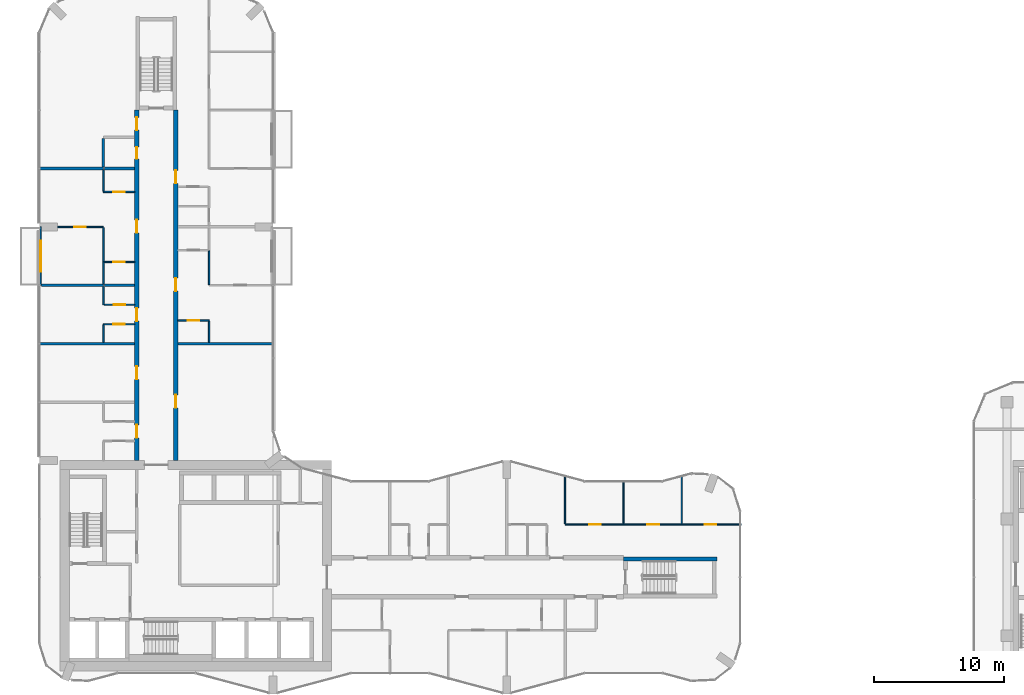
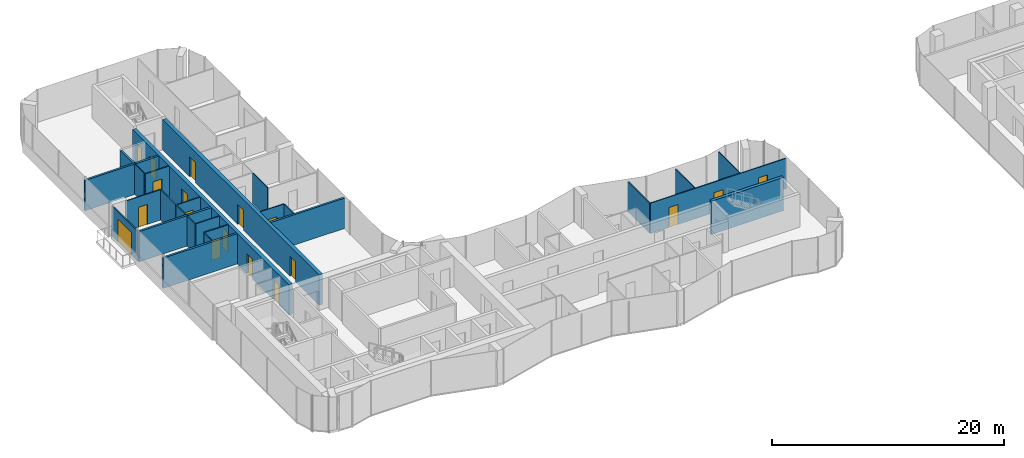
# One storey, part 15 of 22: 28 walls, 19 doors, 19 openings.
"""IFC4 building model written with IfcOpenShell, lengths in metres."""

from ifc_helpers import new_model, si_unit, direction, frame, frame_2d, origin, place, context, subcontext, project, spatial, rectangle, extrude, material, layer, layer_set, type_object, element, fill, save


model = new_model("IFC4")

# Units and contexts
model_context = context("Model", 3, precision=1e-05, world=origin(), true_north=direction((0.0, 1.0)))
body_context = subcontext(model_context, "Body", "Model", "MODEL_VIEW")
ifc_project = project(units=[si_unit("LENGTHUNIT", "METRE"), si_unit("AREAUNIT", "SQUARE_METRE"), si_unit("VOLUMEUNIT", "CUBIC_METRE"), si_unit("PLANEANGLEUNIT", "RADIAN"), si_unit("MASSUNIT", "GRAM", prefix="KILO")], contexts=[model_context])

# Site, building, storey
site_placement = place(None, origin())
site = spatial("IfcSite", under=ifc_project, at=site_placement, CompositionType="ELEMENT")
building_placement = place(site_placement, origin())
building = spatial("IfcBuilding", under=site, at=building_placement, Name="Plateau Cross Towers", CompositionType="ELEMENT")
storey_placement = place(building_placement, frame((0.0, 0.0, 68.800048828125)))
storey = spatial("IfcBuildingStorey", under=building, at=storey_placement, Name="L17", CompositionType="ELEMENT", Elevation=68.800048828125)

# Wall, opening, door
ifc_material_1 = material(Name="Aluminium framed glazing", Category="aluminium")
ifc_layer_1 = layer(ifc_material_1, 0.10009765625)
ifc_layer_set_1 = layer_set([ifc_layer_1], Name="Aluminium framed glazing")
wall_type_1 = type_object("IfcWallType", Name="Balcony screen wall 100", PredefinedType="STANDARD", material=ifc_layer_set_1)
wall_1_placement = place(storey_placement, frame((0.10009765625, 31.5, 0.0), z_axis=(0.0, 0.0, 1.0), x_axis=(0.0, 1.0, 0.0)))
wall_1 = element("IfcWall", 1, at=wall_1_placement, inside=storey, type_object=wall_type_1, Name="Balcony screen wall A-BAL-L17-01", PredefinedType="STANDARD", context=body_context, shape_type="SweptSolid", body=[
    extrude(rectangle(XDim=4.5, YDim=0.10009765625, at=frame_2d((2.25, 0.0))), origin(), (0.0, 0.0, 1.0), 3.199951171875),
])
opening_1_placement = place(wall_1_placement, frame((1.050048828125, 0.0, 0.0)))
opening_1 = element("IfcOpeningElement", 2, at=opening_1_placement, cuts=wall_1, Name="Opening D-B24", PredefinedType="OPENING", context=body_context, shape_type="SweptSolid", body=[
    extrude(rectangle(XDim=2.39990234375, YDim=2.39990234375, at=frame_2d((1.199951171875, 1.199951171875))), frame((0.0, 0.06005859375, 0.0), z_axis=(0.0, -1.0, 0.0), x_axis=(1.0, 0.0, 0.0)), (0.0, 0.0, 1.0), 0.1201171875),
])
ifc_material_2 = material(Name="Aluminium frame, double glazing", Category="aluminium")
door_type_1 = type_object("IfcDoorType", Name="Balcony sliding door 2400", OperationType="NOTDEFINED", PredefinedType="DOOR", material=ifc_material_2)
door_1_placement = place(opening_1_placement, origin())
door_1 = element("IfcDoor", 3, at=door_1_placement, inside=storey, type_object=door_type_1, Name="Balcony door A-BAL-L17-01", OperationType="SINGLE_SWING_LEFT", OverallHeight=2.39990234375, OverallWidth=2.39990234375, PredefinedType="DOOR", context=body_context, shape_type="SweptSolid", body=[
    extrude(rectangle(XDim=2.39990234375, YDim=2.39990234375, at=frame_2d((1.199951171875, 1.199951171875))), frame((0.0, 0.02490234375, 0.0), z_axis=(0.0, -1.0, 0.0), x_axis=(1.0, 0.0, 0.0)), (0.0, 0.0, 1.0), 0.050048828125),
])
fill(opening_1, door_1)

# Wall, openings, doors
ifc_material_3 = material(Name="Concrete C60/75", Category="concrete")
ifc_layer_2 = layer(ifc_material_3, 0.35009765625)
ifc_layer_set_2 = layer_set([ifc_layer_2], Name="Concrete C60/75")
wall_type_2 = type_object("IfcWallType", Name="Corridor wall 350", PredefinedType="SHEAR", material=ifc_layer_set_2)
wall_2_placement = place(storey_placement, frame((7.5, 18.0, 0.0), z_axis=(0.0, 0.0, 1.0), x_axis=(0.0, 1.0, 0.0)))
wall_2 = element("IfcWall", 4, at=wall_2_placement, inside=storey, type_object=wall_type_2, Name="A-cw-W1@L17", PredefinedType="SHEAR", context=body_context, shape_type="SweptSolid", body=[
    extrude(rectangle(XDim=27.0, YDim=0.35009765625, at=frame_2d((13.5, 0.0))), origin(), (0.0, 0.0, 1.0), 3.199951171875),
])
opening_2_placement = place(wall_2_placement, frame((1.75, 0.0, 0.0)))
opening_2 = element("IfcOpeningElement", 5, at=opening_2_placement, cuts=wall_2, Name="Opening 17-08", PredefinedType="OPENING", context=body_context, shape_type="SweptSolid", body=[
    extrude(rectangle(XDim=1.0, YDim=2.10009765625, at=frame_2d((0.5, 1.050048828125))), frame((0.0, 0.18505859375, 0.0), z_axis=(0.0, -1.0, 0.0), x_axis=(1.0, 0.0, 0.0)), (0.0, 0.0, 1.0), 0.3701171875),
])
opening_3_placement = place(wall_2_placement, frame((6.25, 0.0, 0.0)))
opening_3 = element("IfcOpeningElement", 6, at=opening_3_placement, cuts=wall_2, Name="Opening 17-09", PredefinedType="OPENING", context=body_context, shape_type="SweptSolid", body=[
    extrude(rectangle(XDim=1.0, YDim=2.10009765625, at=frame_2d((0.5, 1.050048828125))), frame((0.0, 0.18505859375, 0.0), z_axis=(0.0, -1.0, 0.0), x_axis=(1.0, 0.0, 0.0)), (0.0, 0.0, 1.0), 0.3701171875),
])
opening_4_placement = place(wall_2_placement, frame((10.75, 0.0, 0.0)))
opening_4 = element("IfcOpeningElement", 7, at=opening_4_placement, cuts=wall_2, Name="Opening 17-10", PredefinedType="OPENING", context=body_context, shape_type="SweptSolid", body=[
    extrude(rectangle(XDim=1.0, YDim=2.10009765625, at=frame_2d((0.5, 1.050048828125))), frame((0.0, 0.18505859375, 0.0), z_axis=(0.0, -1.0, 0.0), x_axis=(1.0, 0.0, 0.0)), (0.0, 0.0, 1.0), 0.3701171875),
])
opening_5_placement = place(wall_2_placement, frame((17.550048828125, 0.0, 0.0)))
opening_5 = element("IfcOpeningElement", 8, at=opening_5_placement, cuts=wall_2, Name="Opening 17-11", PredefinedType="OPENING", context=body_context, shape_type="SweptSolid", body=[
    extrude(rectangle(XDim=1.0, YDim=2.10009765625, at=frame_2d((0.5, 1.050048828125))), frame((0.0, 0.18505859375, 0.0), z_axis=(0.0, -1.0, 0.0), x_axis=(1.0, 0.0, 0.0)), (0.0, 0.0, 1.0), 0.3701171875),
])
opening_6_placement = place(wall_2_placement, frame((23.25, 0.0, 0.0)))
opening_6 = element("IfcOpeningElement", 9, at=opening_6_placement, cuts=wall_2, Name="Opening 17-12", PredefinedType="OPENING", context=body_context, shape_type="SweptSolid", body=[
    extrude(rectangle(XDim=0.89990234375, YDim=2.10009765625, at=frame_2d((0.449951171875, 1.050048828125))), frame((0.0, 0.18505859375, 0.0), z_axis=(0.0, -1.0, 0.0), x_axis=(1.0, 0.0, 0.0)), (0.0, 0.0, 1.0), 0.3701171875),
])
opening_7_placement = place(wall_2_placement, frame((25.449951171875, 0.0, 0.0)))
opening_7 = element("IfcOpeningElement", 10, at=opening_7_placement, cuts=wall_2, Name="Opening 17-13", PredefinedType="OPENING", context=body_context, shape_type="SweptSolid", body=[
    extrude(rectangle(XDim=1.0, YDim=2.10009765625, at=frame_2d((0.5, 1.050048828125))), frame((0.0, 0.18505859375, 0.0), z_axis=(0.0, -1.0, 0.0), x_axis=(1.0, 0.0, 0.0)), (0.0, 0.0, 1.0), 0.3701171875),
])
ifc_material_4 = material(Name="Timber, fire-resisting leaf", Category="wood")
door_type_2 = type_object("IfcDoorType", Name="Flat entrance door 1000", OperationType="NOTDEFINED", PredefinedType="DOOR", material=ifc_material_4)
door_2_placement = place(opening_2_placement, origin())
door_2 = element("IfcDoor", 11, at=door_2_placement, inside=storey, type_object=door_type_2, Name="Door 17-08", OperationType="SINGLE_SWING_LEFT", OverallHeight=2.10009765625, OverallWidth=1.0, PredefinedType="DOOR", context=body_context, shape_type="SweptSolid", body=[
    extrude(rectangle(XDim=1.0, YDim=2.10009765625, at=frame_2d((0.5, 1.050048828125))), frame((0.0, 0.02490234375, 0.0), z_axis=(0.0, -1.0, 0.0), x_axis=(1.0, 0.0, 0.0)), (0.0, 0.0, 1.0), 0.050048828125),
])
fill(opening_2, door_2)
door_3_placement = place(opening_3_placement, origin())
door_3 = element("IfcDoor", 12, at=door_3_placement, inside=storey, type_object=door_type_2, Name="Door 17-09", OperationType="SINGLE_SWING_LEFT", OverallHeight=2.10009765625, OverallWidth=1.0, PredefinedType="DOOR", context=body_context, shape_type="SweptSolid", body=[
    extrude(rectangle(XDim=1.0, YDim=2.10009765625, at=frame_2d((0.5, 1.050048828125))), frame((0.0, 0.02490234375, 0.0), z_axis=(0.0, -1.0, 0.0), x_axis=(1.0, 0.0, 0.0)), (0.0, 0.0, 1.0), 0.050048828125),
])
fill(opening_3, door_3)
door_4_placement = place(opening_4_placement, origin())
door_4 = element("IfcDoor", 13, at=door_4_placement, inside=storey, type_object=door_type_2, Name="Door 17-10", OperationType="SINGLE_SWING_LEFT", OverallHeight=2.10009765625, OverallWidth=1.0, PredefinedType="DOOR", context=body_context, shape_type="SweptSolid", body=[
    extrude(rectangle(XDim=1.0, YDim=2.10009765625, at=frame_2d((0.5, 1.050048828125))), frame((0.0, 0.02490234375, 0.0), z_axis=(0.0, -1.0, 0.0), x_axis=(1.0, 0.0, 0.0)), (0.0, 0.0, 1.0), 0.050048828125),
])
fill(opening_4, door_4)
door_5_placement = place(opening_5_placement, origin())
door_5 = element("IfcDoor", 14, at=door_5_placement, inside=storey, type_object=door_type_2, Name="Door 17-11", OperationType="SINGLE_SWING_RIGHT", OverallHeight=2.10009765625, OverallWidth=1.0, PredefinedType="DOOR", context=body_context, shape_type="SweptSolid", body=[
    extrude(rectangle(XDim=1.0, YDim=2.10009765625, at=frame_2d((0.5, 1.050048828125))), frame((0.0, 0.02490234375, 0.0), z_axis=(0.0, -1.0, 0.0), x_axis=(1.0, 0.0, 0.0)), (0.0, 0.0, 1.0), 0.050048828125),
])
fill(opening_5, door_5)
door_6_placement = place(opening_7_placement, origin())
door_6 = element("IfcDoor", 15, at=door_6_placement, inside=storey, type_object=door_type_2, Name="Door 17-13", OperationType="SINGLE_SWING_RIGHT", OverallHeight=2.10009765625, OverallWidth=1.0, PredefinedType="DOOR", context=body_context, shape_type="SweptSolid", body=[
    extrude(rectangle(XDim=1.0, YDim=2.10009765625, at=frame_2d((0.5, 1.050048828125))), frame((0.0, 0.02490234375, 0.0), z_axis=(0.0, -1.0, 0.0), x_axis=(1.0, 0.0, 0.0)), (0.0, 0.0, 1.0), 0.050048828125),
])
fill(opening_7, door_6)
door_type_3 = type_object("IfcDoorType", Name="Flat floor service door 900", OperationType="NOTDEFINED", PredefinedType="DOOR", material=ifc_material_4)
door_7_placement = place(opening_6_placement, origin())
door_7 = element("IfcDoor", 16, at=door_7_placement, inside=storey, type_object=door_type_3, Name="Door 17-12", OperationType="SINGLE_SWING_RIGHT", OverallHeight=2.10009765625, OverallWidth=0.89990234375, PredefinedType="DOOR", context=body_context, shape_type="SweptSolid", body=[
    extrude(rectangle(XDim=0.89990234375, YDim=2.10009765625, at=frame_2d((0.449951171875, 1.050048828125))), frame((0.0, 0.02490234375, 0.0), z_axis=(0.0, -1.0, 0.0), x_axis=(1.0, 0.0, 0.0)), (0.0, 0.0, 1.0), 0.050048828125),
])
fill(opening_6, door_7)

wall_3_placement = place(storey_placement, frame((10.5, 18.0, 0.0), z_axis=(0.0, 0.0, 1.0), x_axis=(0.0, 1.0, 0.0)))
wall_3 = element("IfcWall", 17, at=wall_3_placement, inside=storey, type_object=wall_type_2, Name="A-cw-W2@L17", PredefinedType="SHEAR", context=body_context, shape_type="SweptSolid", body=[
    extrude(rectangle(XDim=27.0, YDim=0.35009765625, at=frame_2d((13.5, 0.0))), origin(), (0.0, 0.0, 1.0), 3.199951171875),
])
opening_8_placement = place(wall_3_placement, frame((4.050048828125, 0.0, 0.0)))
opening_8 = element("IfcOpeningElement", 18, at=opening_8_placement, cuts=wall_3, Name="Opening 17-14", PredefinedType="OPENING", context=body_context, shape_type="SweptSolid", body=[
    extrude(rectangle(XDim=1.0, YDim=2.10009765625, at=frame_2d((0.5, 1.050048828125))), frame((0.0, 0.18505859375, 0.0), z_axis=(0.0, -1.0, 0.0), x_axis=(1.0, 0.0, 0.0)), (0.0, 0.0, 1.0), 0.3701171875),
])
opening_9_placement = place(wall_3_placement, frame((13.050048828125, 0.0, 0.0)))
opening_9 = element("IfcOpeningElement", 19, at=opening_9_placement, cuts=wall_3, Name="Opening 17-15", PredefinedType="OPENING", context=body_context, shape_type="SweptSolid", body=[
    extrude(rectangle(XDim=1.0, YDim=2.10009765625, at=frame_2d((0.5, 1.050048828125))), frame((0.0, 0.18505859375, 0.0), z_axis=(0.0, -1.0, 0.0), x_axis=(1.0, 0.0, 0.0)), (0.0, 0.0, 1.0), 0.3701171875),
])
opening_10_placement = place(wall_3_placement, frame((21.35009765625, 0.0, 0.0)))
opening_10 = element("IfcOpeningElement", 20, at=opening_10_placement, cuts=wall_3, Name="Opening 17-16", PredefinedType="OPENING", context=body_context, shape_type="SweptSolid", body=[
    extrude(rectangle(XDim=1.0, YDim=2.10009765625, at=frame_2d((0.5, 1.050048828125))), frame((0.0, 0.18505859375, 0.0), z_axis=(0.0, -1.0, 0.0), x_axis=(1.0, 0.0, 0.0)), (0.0, 0.0, 1.0), 0.3701171875),
])
door_8_placement = place(opening_8_placement, origin())
door_8 = element("IfcDoor", 21, at=door_8_placement, inside=storey, type_object=door_type_2, Name="Door 17-14", OperationType="SINGLE_SWING_LEFT", OverallHeight=2.10009765625, OverallWidth=1.0, PredefinedType="DOOR", context=body_context, shape_type="SweptSolid", body=[
    extrude(rectangle(XDim=1.0, YDim=2.10009765625, at=frame_2d((0.5, 1.050048828125))), frame((0.0, 0.02490234375, 0.0), z_axis=(0.0, -1.0, 0.0), x_axis=(1.0, 0.0, 0.0)), (0.0, 0.0, 1.0), 0.050048828125),
])
fill(opening_8, door_8)
door_9_placement = place(opening_9_placement, origin())
door_9 = element("IfcDoor", 22, at=door_9_placement, inside=storey, type_object=door_type_2, Name="Door 17-15", OperationType="SINGLE_SWING_RIGHT", OverallHeight=2.10009765625, OverallWidth=1.0, PredefinedType="DOOR", context=body_context, shape_type="SweptSolid", body=[
    extrude(rectangle(XDim=1.0, YDim=2.10009765625, at=frame_2d((0.5, 1.050048828125))), frame((0.0, 0.02490234375, 0.0), z_axis=(0.0, -1.0, 0.0), x_axis=(1.0, 0.0, 0.0)), (0.0, 0.0, 1.0), 0.050048828125),
])
fill(opening_9, door_9)
door_10_placement = place(opening_10_placement, origin())
door_10 = element("IfcDoor", 23, at=door_10_placement, inside=storey, type_object=door_type_2, Name="Door 17-16", OperationType="SINGLE_SWING_RIGHT", OverallHeight=2.10009765625, OverallWidth=1.0, PredefinedType="DOOR", context=body_context, shape_type="SweptSolid", body=[
    extrude(rectangle(XDim=1.0, YDim=2.10009765625, at=frame_2d((0.5, 1.050048828125))), frame((0.0, 0.02490234375, 0.0), z_axis=(0.0, -1.0, 0.0), x_axis=(1.0, 0.0, 0.0)), (0.0, 0.0, 1.0), 0.050048828125),
])
fill(opening_10, door_10)

ifc_material_5 = material(Name="Gypsum board on steel studs", Category="steel")
ifc_layer_3 = layer(ifc_material_5, 0.10009765625)
ifc_layer_set_3 = layer_set([ifc_layer_3], Name="Gypsum board on steel studs")
wall_type_3 = type_object("IfcWallType", Name="Flat partition 100", PredefinedType="PARTITIONING", material=ifc_layer_set_3)
wall_4_placement = place(storey_placement, frame((40.5, 13.074951171875, 0.0), z_axis=(0.0, 0.0, 1.0), x_axis=(1.0, 0.0, 0.0)))
wall_4 = element("IfcWall", 24, at=wall_4_placement, inside=storey, type_object=wall_type_3, Name="Partition wall", PredefinedType="PARTITIONING", context=body_context, shape_type="SweptSolid", body=[
    extrude(rectangle(XDim=13.580078125, YDim=0.10009765625, at=frame_2d((6.7900390625, 0.0))), origin(), (0.0, 0.0, 1.0), 3.199951171875),
])
opening_11_placement = place(wall_4_placement, frame((1.85009765625, 0.0, 0.0)))
opening_11 = element("IfcOpeningElement", 25, at=opening_11_placement, cuts=wall_4, Name="Opening 17-26", PredefinedType="OPENING", context=body_context, shape_type="SweptSolid", body=[
    extrude(rectangle(XDim=0.89990234375, YDim=2.10009765625, at=frame_2d((0.449951171875, 1.050048828125))), frame((0.0, 0.06005859375, 0.0), z_axis=(0.0, -1.0, 0.0), x_axis=(1.0, 0.0, 0.0)), (0.0, 0.0, 1.0), 0.1201171875),
])
opening_12_placement = place(wall_4_placement, frame((6.35009765625, 0.0, 0.0)))
opening_12 = element("IfcOpeningElement", 26, at=opening_12_placement, cuts=wall_4, Name="Opening 17-27", PredefinedType="OPENING", context=body_context, shape_type="SweptSolid", body=[
    extrude(rectangle(XDim=0.89990234375, YDim=2.10009765625, at=frame_2d((0.449951171875, 1.050048828125))), frame((0.0, 0.06005859375, 0.0), z_axis=(0.0, -1.0, 0.0), x_axis=(1.0, 0.0, 0.0)), (0.0, 0.0, 1.0), 0.1201171875),
])
opening_13_placement = place(wall_4_placement, frame((10.75, 0.0, 0.0)))
opening_13 = element("IfcOpeningElement", 27, at=opening_13_placement, cuts=wall_4, Name="Opening 17-28", PredefinedType="OPENING", context=body_context, shape_type="SweptSolid", body=[
    extrude(rectangle(XDim=0.89990234375, YDim=2.10009765625, at=frame_2d((0.449951171875, 1.050048828125))), frame((0.0, 0.06005859375, 0.0), z_axis=(0.0, -1.0, 0.0), x_axis=(1.0, 0.0, 0.0)), (0.0, 0.0, 1.0), 0.1201171875),
])
ifc_material_6 = material(Name="Timber leaf", Category="wood")
door_type_4 = type_object("IfcDoorType", Name="Flat room door 900", OperationType="NOTDEFINED", PredefinedType="DOOR", material=ifc_material_6)
door_11_placement = place(opening_11_placement, origin())
door_11 = element("IfcDoor", 28, at=door_11_placement, inside=storey, type_object=door_type_4, Name="Door 17-26", OperationType="SINGLE_SWING_LEFT", OverallHeight=2.10009765625, OverallWidth=0.89990234375, PredefinedType="DOOR", context=body_context, shape_type="SweptSolid", body=[
    extrude(rectangle(XDim=0.89990234375, YDim=2.10009765625, at=frame_2d((0.449951171875, 1.050048828125))), frame((0.0, 0.02490234375, 0.0), z_axis=(0.0, -1.0, 0.0), x_axis=(1.0, 0.0, 0.0)), (0.0, 0.0, 1.0), 0.050048828125),
])
fill(opening_11, door_11)
door_12_placement = place(opening_12_placement, origin())
door_12 = element("IfcDoor", 29, at=door_12_placement, inside=storey, type_object=door_type_4, Name="Door 17-27", OperationType="SINGLE_SWING_RIGHT", OverallHeight=2.10009765625, OverallWidth=0.89990234375, PredefinedType="DOOR", context=body_context, shape_type="SweptSolid", body=[
    extrude(rectangle(XDim=0.89990234375, YDim=2.10009765625, at=frame_2d((0.449951171875, 1.050048828125))), frame((0.0, 0.02490234375, 0.0), z_axis=(0.0, -1.0, 0.0), x_axis=(1.0, 0.0, 0.0)), (0.0, 0.0, 1.0), 0.050048828125),
])
fill(opening_12, door_12)
door_13_placement = place(opening_13_placement, origin())
door_13 = element("IfcDoor", 30, at=door_13_placement, inside=storey, type_object=door_type_4, Name="Door 17-28", OperationType="SINGLE_SWING_RIGHT", OverallHeight=2.10009765625, OverallWidth=0.89990234375, PredefinedType="DOOR", context=body_context, shape_type="SweptSolid", body=[
    extrude(rectangle(XDim=0.89990234375, YDim=2.10009765625, at=frame_2d((0.449951171875, 1.050048828125))), frame((0.0, 0.02490234375, 0.0), z_axis=(0.0, -1.0, 0.0), x_axis=(1.0, 0.0, 0.0)), (0.0, 0.0, 1.0), 0.050048828125),
])
fill(opening_13, door_13)

# Wall, opening, door
wall_5_placement = place(storey_placement, frame((7.324951171875, 28.5, 0.0), z_axis=(0.0, 0.0, 1.0), x_axis=(-1.0, 0.0, 0.0)))
wall_5 = element("IfcWall", 31, at=wall_5_placement, inside=storey, type_object=wall_type_3, Name="Partition wall", PredefinedType="PARTITIONING", context=body_context, shape_type="SweptSolid", body=[
    extrude(rectangle(XDim=2.39990234375, YDim=0.10009765625, at=frame_2d((1.199951171875, 0.0))), origin(), (0.0, 0.0, 1.0), 3.199951171875),
])
opening_14_placement = place(wall_5_placement, frame((0.75, 0.0, 0.0)))
opening_14 = element("IfcOpeningElement", 32, at=opening_14_placement, cuts=wall_5, Name="Opening 17-31", PredefinedType="OPENING", context=body_context, shape_type="SweptSolid", body=[
    extrude(rectangle(XDim=0.89990234375, YDim=2.10009765625, at=frame_2d((0.449951171875, 1.050048828125))), frame((0.0, 0.06005859375, 0.0), z_axis=(0.0, -1.0, 0.0), x_axis=(1.0, 0.0, 0.0)), (0.0, 0.0, 1.0), 0.1201171875),
])
door_14_placement = place(opening_14_placement, origin())
door_14 = element("IfcDoor", 33, at=door_14_placement, inside=storey, type_object=door_type_4, Name="Door 17-31", OperationType="SINGLE_SWING_LEFT", OverallHeight=2.10009765625, OverallWidth=0.89990234375, PredefinedType="DOOR", context=body_context, shape_type="SweptSolid", body=[
    extrude(rectangle(XDim=0.89990234375, YDim=2.10009765625, at=frame_2d((0.449951171875, 1.050048828125))), frame((0.0, 0.02490234375, 0.0), z_axis=(0.0, -1.0, 0.0), x_axis=(1.0, 0.0, 0.0)), (0.0, 0.0, 1.0), 0.050048828125),
])
fill(opening_14, door_14)

wall_6_placement = place(storey_placement, frame((13.074951171875, 28.800048828125, 0.0), z_axis=(0.0, 0.0, 1.0), x_axis=(-1.0, 0.0, 0.0)))
wall_6 = element("IfcWall", 34, at=wall_6_placement, inside=storey, type_object=wall_type_3, Name="Partition wall", PredefinedType="PARTITIONING", context=body_context, shape_type="SweptSolid", body=[
    extrude(rectangle(XDim=2.39990234375, YDim=0.10009765625, at=frame_2d((1.199951171875, 0.0))), origin(), (0.0, 0.0, 1.0), 3.199951171875),
])
opening_15_placement = place(wall_6_placement, frame((0.75, 0.0, 0.0)))
opening_15 = element("IfcOpeningElement", 35, at=opening_15_placement, cuts=wall_6, Name="Opening 17-36", PredefinedType="OPENING", context=body_context, shape_type="SweptSolid", body=[
    extrude(rectangle(XDim=0.89990234375, YDim=2.10009765625, at=frame_2d((0.449951171875, 1.050048828125))), frame((0.0, 0.06005859375, 0.0), z_axis=(0.0, -1.0, 0.0), x_axis=(1.0, 0.0, 0.0)), (0.0, 0.0, 1.0), 0.1201171875),
])
door_15_placement = place(opening_15_placement, origin())
door_15 = element("IfcDoor", 36, at=door_15_placement, inside=storey, type_object=door_type_4, Name="Door 17-36", OperationType="SINGLE_SWING_RIGHT", OverallHeight=2.10009765625, OverallWidth=0.89990234375, PredefinedType="DOOR", context=body_context, shape_type="SweptSolid", body=[
    extrude(rectangle(XDim=0.89990234375, YDim=2.10009765625, at=frame_2d((0.449951171875, 1.050048828125))), frame((0.0, 0.02490234375, 0.0), z_axis=(0.0, -1.0, 0.0), x_axis=(1.0, 0.0, 0.0)), (0.0, 0.0, 1.0), 0.050048828125),
])
fill(opening_15, door_15)

wall_7_placement = place(storey_placement, frame((4.97509765625, 30.0, 0.0), z_axis=(0.0, 0.0, 1.0), x_axis=(1.0, 0.0, 0.0)))
wall_7 = element("IfcWall", 37, at=wall_7_placement, inside=storey, type_object=wall_type_3, Name="Partition wall", PredefinedType="PARTITIONING", context=body_context, shape_type="SweptSolid", body=[
    extrude(rectangle(XDim=2.349853515625, YDim=0.10009765625, at=frame_2d((1.1748046875, 0.0))), origin(), (0.0, 0.0, 1.0), 3.199951171875),
])
opening_16_placement = place(wall_7_placement, frame((0.75, 0.0, 0.0)))
opening_16 = element("IfcOpeningElement", 38, at=opening_16_placement, cuts=wall_7, Name="Opening 17-32", PredefinedType="OPENING", context=body_context, shape_type="SweptSolid", body=[
    extrude(rectangle(XDim=0.89990234375, YDim=2.10009765625, at=frame_2d((0.449951171875, 1.050048828125))), frame((0.0, 0.06005859375, 0.0), z_axis=(0.0, -1.0, 0.0), x_axis=(1.0, 0.0, 0.0)), (0.0, 0.0, 1.0), 0.1201171875),
])
door_16_placement = place(opening_16_placement, origin())
door_16 = element("IfcDoor", 39, at=door_16_placement, inside=storey, type_object=door_type_4, Name="Door 17-32", OperationType="SINGLE_SWING_RIGHT", OverallHeight=2.10009765625, OverallWidth=0.89990234375, PredefinedType="DOOR", context=body_context, shape_type="SweptSolid", body=[
    extrude(rectangle(XDim=0.89990234375, YDim=2.10009765625, at=frame_2d((0.449951171875, 1.050048828125))), frame((0.0, 0.02490234375, 0.0), z_axis=(0.0, -1.0, 0.0), x_axis=(1.0, 0.0, 0.0)), (0.0, 0.0, 1.0), 0.050048828125),
])
fill(opening_16, door_16)

wall_8_placement = place(storey_placement, frame((7.324951171875, 33.300048828125, 0.0), z_axis=(0.0, 0.0, 1.0), x_axis=(-1.0, 0.0, 0.0)))
wall_8 = element("IfcWall", 40, at=wall_8_placement, inside=storey, type_object=wall_type_3, Name="Partition wall", PredefinedType="PARTITIONING", context=body_context, shape_type="SweptSolid", body=[
    extrude(rectangle(XDim=2.349853515625, YDim=0.10009765625, at=frame_2d((1.1748046875, 0.0))), origin(), (0.0, 0.0, 1.0), 3.199951171875),
])
opening_17_placement = place(wall_8_placement, frame((0.75, 0.0, 0.0)))
opening_17 = element("IfcOpeningElement", 41, at=opening_17_placement, cuts=wall_8, Name="Opening 17-33", PredefinedType="OPENING", context=body_context, shape_type="SweptSolid", body=[
    extrude(rectangle(XDim=0.89990234375, YDim=2.10009765625, at=frame_2d((0.449951171875, 1.050048828125))), frame((0.0, 0.06005859375, 0.0), z_axis=(0.0, -1.0, 0.0), x_axis=(1.0, 0.0, 0.0)), (0.0, 0.0, 1.0), 0.1201171875),
])
door_17_placement = place(opening_17_placement, origin())
door_17 = element("IfcDoor", 42, at=door_17_placement, inside=storey, type_object=door_type_4, Name="Door 17-33", OperationType="SINGLE_SWING_RIGHT", OverallHeight=2.10009765625, OverallWidth=0.89990234375, PredefinedType="DOOR", context=body_context, shape_type="SweptSolid", body=[
    extrude(rectangle(XDim=0.89990234375, YDim=2.10009765625, at=frame_2d((0.449951171875, 1.050048828125))), frame((0.0, 0.02490234375, 0.0), z_axis=(0.0, -1.0, 0.0), x_axis=(1.0, 0.0, 0.0)), (0.0, 0.0, 1.0), 0.050048828125),
])
fill(opening_17, door_17)

wall_9_placement = place(storey_placement, frame((4.925048828125, 36.0, 0.0), z_axis=(0.0, 0.0, 1.0), x_axis=(-1.0, 0.0, 0.0)))
wall_9 = element("IfcWall", 43, at=wall_9_placement, inside=storey, type_object=wall_type_3, Name="Partition wall", PredefinedType="PARTITIONING", context=body_context, shape_type="SweptSolid", body=[
    extrude(rectangle(XDim=3.525146484375, YDim=0.10009765625, at=frame_2d((1.7626953125, 0.0))), origin(), (0.0, 0.0, 1.0), 3.199951171875),
])
opening_18_placement = place(wall_9_placement, frame((1.35009765625, 0.0, 0.0)))
opening_18 = element("IfcOpeningElement", 44, at=opening_18_placement, cuts=wall_9, Name="Opening 17-35", PredefinedType="OPENING", context=body_context, shape_type="SweptSolid", body=[
    extrude(rectangle(XDim=0.89990234375, YDim=2.10009765625, at=frame_2d((0.449951171875, 1.050048828125))), frame((0.0, 0.06005859375, 0.0), z_axis=(0.0, -1.0, 0.0), x_axis=(1.0, 0.0, 0.0)), (0.0, 0.0, 1.0), 0.1201171875),
])
door_18_placement = place(opening_18_placement, origin())
door_18 = element("IfcDoor", 45, at=door_18_placement, inside=storey, type_object=door_type_4, Name="Door 17-35", OperationType="SINGLE_SWING_RIGHT", OverallHeight=2.10009765625, OverallWidth=0.89990234375, PredefinedType="DOOR", context=body_context, shape_type="SweptSolid", body=[
    extrude(rectangle(XDim=0.89990234375, YDim=2.10009765625, at=frame_2d((0.449951171875, 1.050048828125))), frame((0.0, 0.02490234375, 0.0), z_axis=(0.0, -1.0, 0.0), x_axis=(1.0, 0.0, 0.0)), (0.0, 0.0, 1.0), 0.050048828125),
])
fill(opening_18, door_18)

wall_10_placement = place(storey_placement, frame((4.925048828125, 38.699951171875, 0.0), z_axis=(0.0, 0.0, 1.0), x_axis=(1.0, 0.0, 0.0)))
wall_10 = element("IfcWall", 46, at=wall_10_placement, inside=storey, type_object=wall_type_3, Name="Partition wall", PredefinedType="PARTITIONING", context=body_context, shape_type="SweptSolid", body=[
    extrude(rectangle(XDim=2.39990234375, YDim=0.10009765625, at=frame_2d((1.199951171875, 0.0))), origin(), (0.0, 0.0, 1.0), 3.199951171875),
])
opening_19_placement = place(wall_10_placement, frame((0.75, 0.0, 0.0)))
opening_19 = element("IfcOpeningElement", 47, at=opening_19_placement, cuts=wall_10, Name="Opening 17-34", PredefinedType="OPENING", context=body_context, shape_type="SweptSolid", body=[
    extrude(rectangle(XDim=0.89990234375, YDim=2.10009765625, at=frame_2d((0.449951171875, 1.050048828125))), frame((0.0, 0.06005859375, 0.0), z_axis=(0.0, -1.0, 0.0), x_axis=(1.0, 0.0, 0.0)), (0.0, 0.0, 1.0), 0.1201171875),
])
door_19_placement = place(opening_19_placement, origin())
door_19 = element("IfcDoor", 48, at=door_19_placement, inside=storey, type_object=door_type_4, Name="Door 17-34", OperationType="SINGLE_SWING_LEFT", OverallHeight=2.10009765625, OverallWidth=0.89990234375, PredefinedType="DOOR", context=body_context, shape_type="SweptSolid", body=[
    extrude(rectangle(XDim=0.89990234375, YDim=2.10009765625, at=frame_2d((0.449951171875, 1.050048828125))), frame((0.0, 0.02490234375, 0.0), z_axis=(0.0, -1.0, 0.0), x_axis=(1.0, 0.0, 0.0)), (0.0, 0.0, 1.0), 0.050048828125),
])
fill(opening_19, door_19)

# Walls
wall_11_placement = place(storey_placement, frame((4.925048828125, 28.449951171875, 0.0), z_axis=(0.0, 0.0, 1.0), x_axis=(0.0, -1.0, 0.0)))
element("IfcWall", 49, at=wall_11_placement, inside=storey, type_object=wall_type_3, Name="Partition wall", PredefinedType="PARTITIONING", context=body_context, shape_type="SweptSolid", body=[
    extrude(rectangle(XDim=1.349853515625, YDim=0.10009765625, at=frame_2d((0.6748046875, 0.0))), origin(), (0.0, 0.0, 1.0), 3.199951171875),
])
wall_12_placement = place(storey_placement, frame((4.925048828125, 31.39990234375, 0.0), z_axis=(0.0, 0.0, 1.0), x_axis=(0.0, -1.0, 0.0)))
element("IfcWall", 50, at=wall_12_placement, inside=storey, type_object=wall_type_3, Name="Partition wall", PredefinedType="PARTITIONING", context=body_context, shape_type="SweptSolid", body=[
    extrude(rectangle(XDim=1.39990234375, YDim=0.10009765625, at=frame_2d((0.699951171875, 0.0))), origin(), (0.0, 0.0, 1.0), 3.199951171875),
])
wall_13_placement = place(storey_placement, frame((4.925048828125, 33.300048828125, 0.0), z_axis=(0.0, 0.0, 1.0), x_axis=(0.0, -1.0, 0.0)))
element("IfcWall", 51, at=wall_13_placement, inside=storey, type_object=wall_type_3, Name="Partition wall", PredefinedType="PARTITIONING", context=body_context, shape_type="SweptSolid", body=[
    extrude(rectangle(XDim=1.699951171875, YDim=0.10009765625, at=frame_2d((0.85009765625, 0.0))), origin(), (0.0, 0.0, 1.0), 3.199951171875),
])
wall_14_placement = place(storey_placement, frame((4.925048828125, 40.39990234375, 0.0), z_axis=(0.0, 0.0, 1.0), x_axis=(0.0, -1.0, 0.0)))
element("IfcWall", 52, at=wall_14_placement, inside=storey, type_object=wall_type_3, Name="Partition wall", PredefinedType="PARTITIONING", context=body_context, shape_type="SweptSolid", body=[
    extrude(rectangle(XDim=1.64990234375, YDim=0.10009765625, at=frame_2d((0.824951171875, 0.0))), origin(), (0.0, 0.0, 1.0), 3.199951171875),
])
for number, where, z_axis, x_axis, name in (
    (53, (4.925048828125, 33.35009765625, 0.0), (0.0, 0.0, 1.0), (0.0, 1.0, 0.0), "Partition wall"),
    (54, (13.074951171875, 34.14990234375, 0.0), (0.0, 0.0, 1.0), (0.0, -1.0, 0.0), "Partition wall"),
):
    element("IfcWall", number, at=place(storey_placement, frame(where, z_axis=z_axis, x_axis=x_axis)), inside=storey, type_object=wall_type_3, Name=name, PredefinedType="PARTITIONING", context=body_context, shape_type="SweptSolid", body=[
        extrude(rectangle(XDim=2.599853515625, YDim=0.10009765625, at=frame_2d((1.2998046875, 0.0))), origin(), (0.0, 0.0, 1.0), 3.199951171875),
    ])
wall_15_placement = place(storey_placement, frame((13.074951171875, 27.10009765625, 0.0), z_axis=(0.0, 0.0, 1.0), x_axis=(0.0, 1.0, 0.0)))
element("IfcWall", 55, at=wall_15_placement, inside=storey, type_object=wall_type_3, Name="Partition wall", PredefinedType="PARTITIONING", context=body_context, shape_type="SweptSolid", body=[
    extrude(rectangle(XDim=1.64990234375, YDim=0.10009765625, at=frame_2d((0.824951171875, 0.0))), origin(), (0.0, 0.0, 1.0), 3.199951171875),
])
wall_16_placement = place(storey_placement, frame((40.5, 16.877685546875, 0.0), z_axis=(0.0, 0.0, 1.0), x_axis=(0.0, -1.0, 0.0)))
element("IfcWall", 56, at=wall_16_placement, inside=storey, type_object=wall_type_3, Name="Partition wall", PredefinedType="PARTITIONING", context=body_context, shape_type="SweptSolid", body=[
    extrude(rectangle(XDim=3.752685546875, YDim=0.10009765625, at=frame_2d((1.87646484375, 0.0))), origin(), (0.0, 0.0, 1.0), 3.199951171875),
])
wall_17_placement = place(storey_placement, frame((45.0, 13.125, 0.0), z_axis=(0.0, 0.0, 1.0), x_axis=(0.0, 1.0, 0.0)))
element("IfcWall", 57, at=wall_17_placement, inside=storey, type_object=wall_type_3, Name="Partition wall", PredefinedType="PARTITIONING", context=body_context, shape_type="SweptSolid", body=[
    extrude(rectangle(XDim=3.34814453125, YDim=0.10009765625, at=frame_2d((1.674072265625, 0.0))), origin(), (0.0, 0.0, 1.0), 3.199951171875),
])
wall_18_placement = place(storey_placement, frame((49.5, 13.125, 0.0), z_axis=(0.0, 0.0, 1.0), x_axis=(0.0, 1.0, 0.0)))
element("IfcWall", 58, at=wall_18_placement, inside=storey, type_object=wall_type_3, Name="Partition wall", PredefinedType="PARTITIONING", context=body_context, shape_type="SweptSolid", body=[
    extrude(rectangle(XDim=3.752685546875, YDim=0.10009765625, at=frame_2d((1.87646484375, 0.0))), origin(), (0.0, 0.0, 1.0), 3.199951171875),
])
ifc_material_7 = material(Name="Gypsum board on steel studs, two layers each side", Category="steel")
ifc_layer_4 = layer(ifc_material_7, 0.199951171875)
ifc_layer_set_4 = layer_set([ifc_layer_4], Name="Gypsum board on steel studs, two layers each side")
wall_type_4 = type_object("IfcWallType", Name="Flat party wall 200", PredefinedType="PARTITIONING", material=ifc_layer_set_4)
for number, where, z_axis, x_axis, name in (
    (59, (7.324951171875, 27.0, 0.0), (0.0, 0.0, 1.0), (-1.0, 0.0, 0.0), "Party wall"),
    (60, (18.080078125, 27.0, 0.0), (0.0, 0.0, 1.0), (-1.0, 0.0, 0.0), "Party wall"),
):
    element("IfcWall", number, at=place(storey_placement, frame(where, z_axis=z_axis, x_axis=x_axis)), inside=storey, type_object=wall_type_4, Name=name, PredefinedType="PARTITIONING", context=body_context, shape_type="SweptSolid", body=[
        extrude(rectangle(XDim=7.405029296875, YDim=0.199951171875, at=frame_2d((3.70263671875, 0.0))), origin(), (0.0, 0.0, 1.0), 3.199951171875),
    ])
wall_19_placement = place(storey_placement, frame((7.324951171875, 31.5, 0.0), z_axis=(0.0, 0.0, 1.0), x_axis=(-1.0, 0.0, 0.0)))
element("IfcWall", 61, at=wall_19_placement, inside=storey, type_object=wall_type_4, Name="Party wall", PredefinedType="PARTITIONING", context=body_context, shape_type="SweptSolid", body=[
    extrude(rectangle(XDim=2.300048828125, YDim=0.199951171875, at=frame_2d((1.14990234375, 0.0))), origin(), (0.0, 0.0, 1.0), 3.199951171875),
])
wall_20_placement = place(storey_placement, frame((0.14990234375, 31.5, 0.0), z_axis=(0.0, 0.0, 1.0), x_axis=(1.0, 0.0, 0.0)))
element("IfcWall", 62, at=wall_20_placement, inside=storey, type_object=wall_type_4, Name="Party wall", PredefinedType="PARTITIONING", context=body_context, shape_type="SweptSolid", body=[
    extrude(rectangle(XDim=4.775146484375, YDim=0.199951171875, at=frame_2d((2.3876953125, 0.0))), origin(), (0.0, 0.0, 1.0), 3.199951171875),
])
wall_21_placement = place(storey_placement, frame((7.324951171875, 40.5, 0.0), z_axis=(0.0, 0.0, 1.0), x_axis=(-1.0, 0.0, 0.0)))
element("IfcWall", 63, at=wall_21_placement, inside=storey, type_object=wall_type_4, Name="Party wall", PredefinedType="PARTITIONING", context=body_context, shape_type="SweptSolid", body=[
    extrude(rectangle(XDim=2.300048828125, YDim=0.199951171875, at=frame_2d((1.14990234375, 0.0))), origin(), (0.0, 0.0, 1.0), 3.199951171875),
])
wall_22_placement = place(storey_placement, frame((-0.080078125, 40.5, 0.0), z_axis=(0.0, 0.0, 1.0), x_axis=(1.0, 0.0, 0.0)))
element("IfcWall", 64, at=wall_22_placement, inside=storey, type_object=wall_type_4, Name="Party wall", PredefinedType="PARTITIONING", context=body_context, shape_type="SweptSolid", body=[
    extrude(rectangle(XDim=5.005126953125, YDim=0.199951171875, at=frame_2d((2.50244140625, 0.0))), origin(), (0.0, 0.0, 1.0), 3.199951171875),
])
wall_23_placement = place(storey_placement, frame((4.925048828125, 42.800048828125, 0.0), z_axis=(0.0, 0.0, 1.0), x_axis=(0.0, -1.0, 0.0)))
element("IfcWall", 65, at=wall_23_placement, inside=storey, type_object=wall_type_4, Name="Party wall", PredefinedType="PARTITIONING", context=body_context, shape_type="SweptSolid", body=[
    extrude(rectangle(XDim=2.199951171875, YDim=0.199951171875, at=frame_2d((1.10009765625, 0.0))), origin(), (0.0, 0.0, 1.0), 3.199951171875),
])
ifc_layer_5 = layer(ifc_material_3, 0.300048828125)
ifc_layer_set_5 = layer_set([ifc_layer_5], Name="Concrete C60/75")
wall_type_5 = type_object("IfcWallType", Name="Stair tower wall 300", PredefinedType="SHEAR", material=ifc_layer_set_5)
wall_24_placement = place(storey_placement, frame((45.0, 10.425048828125, 0.0), z_axis=(0.0, 0.0, 1.0), x_axis=(1.0, 0.0, 0.0)))
element("IfcWall", 66, at=wall_24_placement, inside=storey, type_object=wall_type_5, Name="A-end-E-N@L17", PredefinedType="SHEAR", context=body_context, shape_type="SweptSolid", body=[
    extrude(rectangle(XDim=7.199951171875, YDim=0.300048828125, at=frame_2d((3.60009765625, 0.0))), origin(), (0.0, 0.0, 1.0), 3.5),
])

save(model, "model.ifc")
